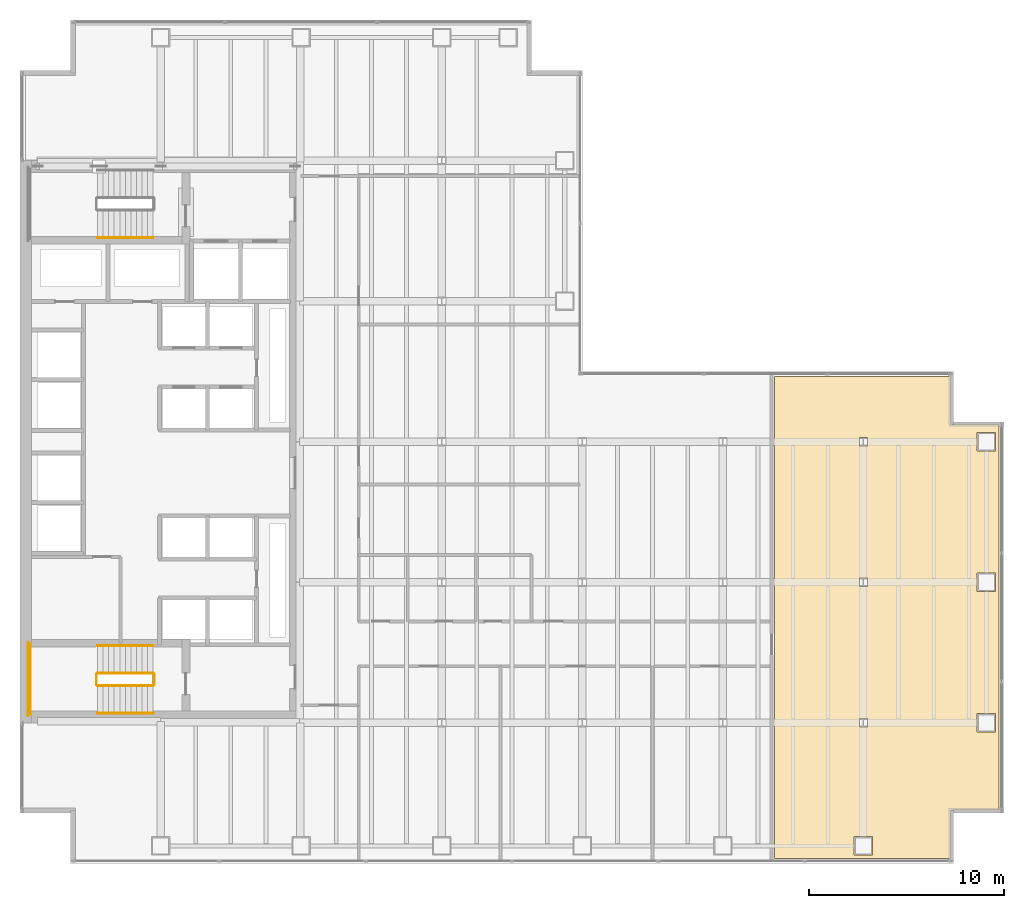
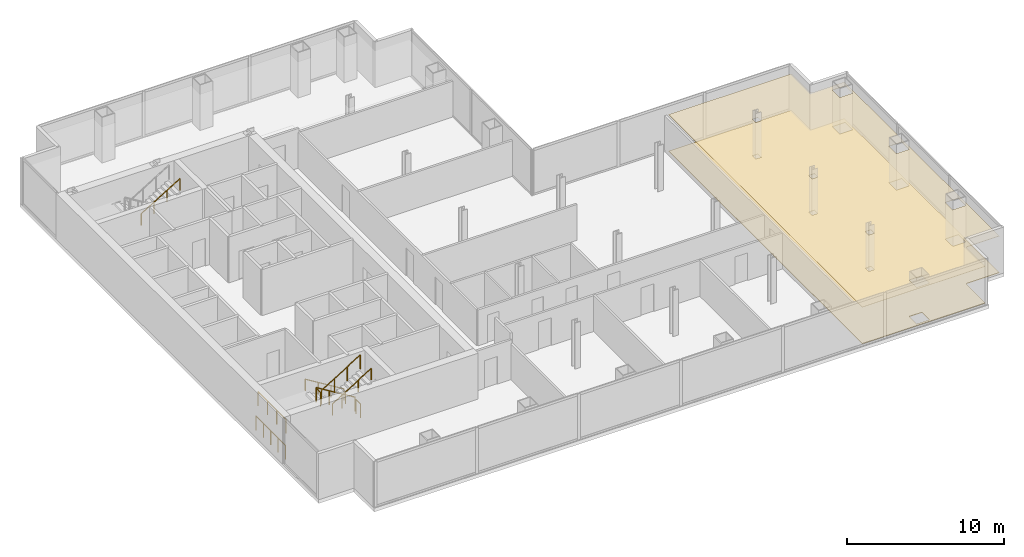
# One storey, part 23 of 24: 9 railings, 2 coverings.
"""IFC4 building model written with IfcOpenShell, lengths in metres."""

from ifc_helpers import new_model, si_unit, direction, frame, origin, origin_2d, place, context, subcontext, project, spatial, polyline, circle, outline, extrude, material, layer, layer_set, type_object, element, save


model = new_model("IFC4")

# Units and contexts
model_context = context("Model", 3, precision=1e-05, world=origin(), true_north=direction((0.0, 1.0)))
body_context = subcontext(model_context, "Body", "Model", "MODEL_VIEW")
ifc_project = project(units=[si_unit("LENGTHUNIT", "METRE"), si_unit("AREAUNIT", "SQUARE_METRE"), si_unit("VOLUMEUNIT", "CUBIC_METRE"), si_unit("PLANEANGLEUNIT", "RADIAN"), si_unit("MASSUNIT", "GRAM", prefix="KILO")], contexts=[model_context])

# Site, building, storey
site_placement = place(None, origin())
site = spatial("IfcSite", under=ifc_project, at=site_placement, CompositionType="ELEMENT")
building_placement = place(site_placement, origin())
building = spatial("IfcBuilding", under=site, at=building_placement, Name="Cobrela Telecom Tower", CompositionType="ELEMENT")
storey_placement = place(building_placement, frame((0.0, 0.0, 85.050048828125)))
storey = spatial("IfcBuildingStorey", under=building, at=storey_placement, Name="L21", CompositionType="ELEMENT", Elevation=85.050048828125)

# Coverings
ifc_material_1 = material(Name="Mineral Fibre Acoustic Ceiling Tile")
ifc_layer_1 = layer(ifc_material_1, 0.02490234375)
ifc_layer_set_1 = layer_set([ifc_layer_1], Name="Mineral Fibre Acoustic Ceiling Tile")
covering_type_1 = type_object("IfcCoveringType", Name="COV-CEIL-ACT", PredefinedType="CEILING", material=ifc_layer_set_1)
covering_1_placement = place(storey_placement, frame((0.0, 0.0, 2.849853515625)))
element("IfcCovering", 1, at=covering_1_placement, inside=storey, type_object=covering_type_1, Name="L21 Systems Engineering Studio 9 Suspended Acoustic Ceiling", PredefinedType="CEILING", context=body_context, shape_type="SweptSolid", body=[
    extrude(outline(polyline([(47.78271484375, 2.727294921875), (47.769287109375, 2.72412109375), (47.75634765625, 2.719482421875), (47.743896484375, 2.71337890625), (47.732177734375, 2.706298828125), (47.72119140625, 2.6982421875), (47.7109375, 2.68896484375), (47.70166015625, 2.6787109375), (47.693603515625, 2.66796875), (47.6865234375, 2.656005859375), (47.6806640625, 2.6435546875), (47.676025390625, 2.630615234375), (47.672607421875, 2.6171875), (47.670654296875, 2.603759765625), (47.669921875, 2.591064453125), (47.669921875, 0.260009765625), (38.639892578125, 0.260009765625), (38.639892578125, 24.93994140625), (47.669921875, 24.93994140625), (47.669921875, 22.60888671875), (47.670654296875, 22.59619140625), (47.672607421875, 22.582763671875), (47.676025390625, 22.5693359375), (47.6806640625, 22.556396484375), (47.6865234375, 22.5439453125), (47.693603515625, 22.531982421875), (47.70166015625, 22.521240234375), (47.7109375, 22.510986328125), (47.72119140625, 22.501708984375), (47.732177734375, 22.49365234375), (47.743896484375, 22.486572265625), (47.75634765625, 22.480712890625), (47.769287109375, 22.47607421875), (47.78271484375, 22.47265625), (47.79638671875, 22.470703125), (47.80908203125, 22.469970703125), (50.139892578125, 22.469970703125), (50.139892578125, 2.72998046875), (47.80908203125, 2.72998046875), (47.79638671875, 2.7294921875), (47.78271484375, 2.727294921875)]), holes=[polyline([(43.675048828125, 0.425048828125), (43.675048828125, 1.375), (42.72509765625, 1.375), (42.72509765625, 0.425048828125), (43.675048828125, 0.425048828125)]), polyline([(43.404541015625, 6.988037109375), (43.404541015625, 7.412109375), (42.99560546875, 7.412109375), (42.99560546875, 6.988037109375), (43.404541015625, 6.988037109375)]), polyline([(49.97509765625, 6.72509765625), (49.97509765625, 7.675048828125), (49.02490234375, 7.675048828125), (49.02490234375, 6.72509765625), (49.97509765625, 6.72509765625)]), polyline([(43.404541015625, 14.18798828125), (43.404541015625, 14.612060546875), (42.99560546875, 14.612060546875), (42.99560546875, 14.18798828125), (43.404541015625, 14.18798828125)]), polyline([(49.97509765625, 13.925048828125), (49.97509765625, 14.875), (49.02490234375, 14.875), (49.02490234375, 13.925048828125), (49.97509765625, 13.925048828125)]), polyline([(43.404541015625, 21.387939453125), (43.404541015625, 21.81201171875), (42.99560546875, 21.81201171875), (42.99560546875, 21.387939453125), (43.404541015625, 21.387939453125)]), polyline([(49.97509765625, 21.125), (49.97509765625, 22.074951171875), (49.02490234375, 22.074951171875), (49.02490234375, 21.125), (49.97509765625, 21.125)])]), origin(), (0.0, 0.0, 1.0), 0.025146484375),
])
ifc_material_2 = material(Name="Honed Colombian Basalt Stone", Category="masonry")
ifc_layer_2 = layer(ifc_material_2, 0.0400390625)
ifc_layer_set_2 = layer_set([ifc_layer_2], Name="Honed Colombian Basalt Stone")
covering_type_2 = type_object("IfcCoveringType", Name="COV-FLR-STONE", PredefinedType="FLOORING", material=ifc_layer_set_2)
covering_2_placement = place(storey_placement, origin())
element("IfcCovering", 2, at=covering_2_placement, inside=storey, type_object=covering_type_2, Name="L21 Systems Engineering Studio 9 Raised Technical Flooring", PredefinedType="FLOORING", context=body_context, shape_type="SweptSolid", body=[
    extrude(outline(polyline([(47.78271484375, 2.727294921875), (47.769287109375, 2.72412109375), (47.75634765625, 2.719482421875), (47.743896484375, 2.71337890625), (47.732177734375, 2.706298828125), (47.72119140625, 2.6982421875), (47.7109375, 2.68896484375), (47.70166015625, 2.6787109375), (47.693603515625, 2.66796875), (47.6865234375, 2.656005859375), (47.6806640625, 2.6435546875), (47.676025390625, 2.630615234375), (47.672607421875, 2.6171875), (47.670654296875, 2.603759765625), (47.669921875, 2.591064453125), (47.669921875, 0.260009765625), (38.639892578125, 0.260009765625), (38.639892578125, 24.93994140625), (47.669921875, 24.93994140625), (47.669921875, 22.60888671875), (47.670654296875, 22.59619140625), (47.672607421875, 22.582763671875), (47.676025390625, 22.5693359375), (47.6806640625, 22.556396484375), (47.6865234375, 22.5439453125), (47.693603515625, 22.531982421875), (47.70166015625, 22.521240234375), (47.7109375, 22.510986328125), (47.72119140625, 22.501708984375), (47.732177734375, 22.49365234375), (47.743896484375, 22.486572265625), (47.75634765625, 22.480712890625), (47.769287109375, 22.47607421875), (47.78271484375, 22.47265625), (47.79638671875, 22.470703125), (47.80908203125, 22.469970703125), (50.139892578125, 22.469970703125), (50.139892578125, 2.72998046875), (47.80908203125, 2.72998046875), (47.79638671875, 2.7294921875), (47.78271484375, 2.727294921875)]), holes=[polyline([(43.675048828125, 0.425048828125), (43.675048828125, 1.375), (42.72509765625, 1.375), (42.72509765625, 0.425048828125), (43.675048828125, 0.425048828125)]), polyline([(43.404541015625, 6.988037109375), (43.404541015625, 7.412109375), (42.99560546875, 7.412109375), (42.99560546875, 6.988037109375), (43.404541015625, 6.988037109375)]), polyline([(49.97509765625, 6.72509765625), (49.97509765625, 7.675048828125), (49.02490234375, 7.675048828125), (49.02490234375, 6.72509765625), (49.97509765625, 6.72509765625)]), polyline([(43.404541015625, 14.18798828125), (43.404541015625, 14.612060546875), (42.99560546875, 14.612060546875), (42.99560546875, 14.18798828125), (43.404541015625, 14.18798828125)]), polyline([(49.97509765625, 13.925048828125), (49.97509765625, 14.875), (49.02490234375, 14.875), (49.02490234375, 13.925048828125), (49.97509765625, 13.925048828125)]), polyline([(43.404541015625, 21.387939453125), (43.404541015625, 21.81201171875), (42.99560546875, 21.81201171875), (42.99560546875, 21.387939453125), (43.404541015625, 21.387939453125)]), polyline([(49.97509765625, 21.125), (49.97509765625, 22.074951171875), (49.02490234375, 22.074951171875), (49.02490234375, 21.125), (49.97509765625, 21.125)])]), origin(), (0.0, 0.0, 1.0), 0.0400390625),
])

# Railings
ifc_material_3 = material(Name="Steel ASTM A36", Category="steel")
railing_type_1 = type_object("IfcRailingType", Name="RAIL-GUARD-1100", PredefinedType="GUARDRAIL", material=ifc_material_3)
railing_1_placement = place(storey_placement, frame((6.820068359375, 9.75, 0.175048828125)))
element("IfcRailing", 3, at=railing_1_placement, inside=storey, type_object=railing_type_1, Name="L21 ST2 stair guard 1", PredefinedType="GUARDRAIL", context=body_context, shape_type="SweptSolid", body=[
    extrude(circle(Radius=0.02392578125, at=origin_2d()), frame((0.0, 0.0, 1.076171875), z_axis=(-0.852179220489, 0.0, 0.52325001306), x_axis=(0.0, -1.0, 0.0)), (0.0, 0.0, 1.0), 3.344482421875),
    extrude(circle(Radius=0.02099609375, at=origin_2d()), origin(), (0.0, 0.0, 1.0), 1.052001953125),
    extrude(circle(Radius=0.02099609375, at=origin_2d()), frame((-0.949951171875, 0.0, 0.583251953125)), (0.0, 0.0, 1.0), 1.052001953125),
    extrude(circle(Radius=0.02099609375, at=origin_2d()), frame((-1.900146484375, 0.0, 1.166748046875)), (0.0, 0.0, 1.0), 1.052001953125),
    extrude(circle(Radius=0.02099609375, at=origin_2d()), frame((-2.85009765625, 0.0, 1.75)), (0.0, 0.0, 1.0), 1.052001953125),
])
railing_2_placement = place(storey_placement, frame((3.919921875, 9.699951171875, 1.925048828125)))
element("IfcRailing", 4, at=railing_2_placement, inside=storey, type_object=railing_type_1, Name="L21 ST2 stair guard 2", PredefinedType="GUARDRAIL", context=body_context, shape_type="SweptSolid", body=[
    extrude(circle(Radius=0.02392578125, at=origin_2d()), frame((0.0, 0.0, 1.076171875), z_axis=(0.0, -1.0, 0.0), x_axis=(1.0, 0.0, 0.0)), (0.0, 0.0, 1.0), 0.550048828125),
    extrude(circle(Radius=0.02099609375, at=origin_2d()), origin(), (0.0, 0.0, 1.0), 1.052001953125),
    extrude(circle(Radius=0.02099609375, at=origin_2d()), frame((0.0, -0.550048828125, 0.0)), (0.0, 0.0, 1.0), 1.052001953125),
])
railing_3_placement = place(storey_placement, frame((0.530029296875, 11.199951171875, 1.925048828125)))
element("IfcRailing", 5, at=railing_3_placement, inside=storey, type_object=railing_type_1, Name="L21 ST2 stair guard 3", PredefinedType="GUARDRAIL", context=body_context, shape_type="SweptSolid", body=[
    extrude(circle(Radius=0.02392578125, at=origin_2d()), frame((0.0, 0.0, 1.076171875), z_axis=(0.0, -1.0, 0.0), x_axis=(1.0, 0.0, 0.0)), (0.0, 0.0, 1.0), 3.550048828125),
    extrude(circle(Radius=0.02099609375, at=origin_2d()), origin(), (0.0, 0.0, 1.0), 1.052001953125),
    extrude(circle(Radius=0.02099609375, at=origin_2d()), frame((0.0, -1.183349609375, 0.0)), (0.0, 0.0, 1.0), 1.052001953125),
    extrude(circle(Radius=0.02099609375, at=origin_2d()), frame((0.0, -2.36669921875, 0.0)), (0.0, 0.0, 1.0), 1.052001953125),
    extrude(circle(Radius=0.02099609375, at=origin_2d()), frame((0.0, -3.550048828125, 0.0)), (0.0, 0.0, 1.0), 1.052001953125),
])
railing_4_placement = place(storey_placement, frame((3.969970703125, 9.10009765625, 2.099853515625)))
element("IfcRailing", 6, at=railing_4_placement, inside=storey, type_object=railing_type_1, Name="L21 ST2 stair guard 4", PredefinedType="GUARDRAIL", context=body_context, shape_type="SweptSolid", body=[
    extrude(circle(Radius=0.02392578125, at=origin_2d()), frame((0.0, 0.0, 1.076171875), z_axis=(0.852179220489, 0.0, 0.52325001306), x_axis=(0.0, 1.0, 0.0)), (0.0, 0.0, 1.0), 3.344482421875),
    extrude(circle(Radius=0.02099609375, at=origin_2d()), origin(), (0.0, 0.0, 1.0), 1.052001953125),
    extrude(circle(Radius=0.02099609375, at=origin_2d()), frame((0.949951171875, 0.0, 0.583251953125)), (0.0, 0.0, 1.0), 1.052001953125),
    extrude(circle(Radius=0.02099609375, at=origin_2d()), frame((1.900146484375, 0.0, 1.166748046875)), (0.0, 0.0, 1.0), 1.052001953125),
    extrude(circle(Radius=0.02099609375, at=origin_2d()), frame((2.85009765625, 0.0, 1.75)), (0.0, 0.0, 1.0), 1.052001953125),
])
railing_5_placement = place(storey_placement, frame((6.8701171875, 9.699951171875, 0.0)))
element("IfcRailing", 7, at=railing_5_placement, inside=storey, type_object=railing_type_1, Name="L21 ST2 stair guard 5", PredefinedType="GUARDRAIL", context=body_context, shape_type="SweptSolid", body=[
    extrude(circle(Radius=0.02392578125, at=origin_2d()), frame((0.0, 0.0, 1.076171875), z_axis=(0.0, -1.0, 0.0), x_axis=(1.0, 0.0, 0.0)), (0.0, 0.0, 1.0), 0.550048828125),
    extrude(circle(Radius=0.02099609375, at=origin_2d()), origin(), (0.0, 0.0, 1.0), 1.052001953125),
    extrude(circle(Radius=0.02099609375, at=origin_2d()), frame((0.0, -0.550048828125, 0.0)), (0.0, 0.0, 1.0), 1.052001953125),
])
railing_6_placement = place(storey_placement, frame((0.429931640625, 11.300048828125, 0.0)))
element("IfcRailing", 8, at=railing_6_placement, inside=storey, type_object=railing_type_1, Name="L21 ST2 stair guard 6", PredefinedType="GUARDRAIL", context=body_context, shape_type="SweptSolid", body=[
    extrude(circle(Radius=0.02392578125, at=origin_2d()), frame((0.0, 0.0, 1.076171875), z_axis=(0.0, -1.0, 0.0), x_axis=(1.0, 0.0, 0.0)), (0.0, 0.0, 1.0), 3.75),
    extrude(circle(Radius=0.02099609375, at=origin_2d()), origin(), (0.0, 0.0, 1.0), 1.052001953125),
    extrude(circle(Radius=0.02099609375, at=origin_2d()), frame((0.0, -0.9375, 0.0)), (0.0, 0.0, 1.0), 1.052001953125),
    extrude(circle(Radius=0.02099609375, at=origin_2d()), frame((0.0, -1.875, 0.0)), (0.0, 0.0, 1.0), 1.052001953125),
    extrude(circle(Radius=0.02099609375, at=origin_2d()), frame((0.0, -2.8125, 0.0)), (0.0, 0.0, 1.0), 1.052001953125),
    extrude(circle(Radius=0.02099609375, at=origin_2d()), frame((0.0, -3.75, 0.0)), (0.0, 0.0, 1.0), 1.052001953125),
])
railing_type_2 = type_object("IfcRailingType", Name="RAIL-HAND-920", PredefinedType="HANDRAIL", material=ifc_material_3)
railing_7_placement = place(storey_placement, frame((3.969970703125, 32.050048828125, 2.099853515625)))
element("IfcRailing", 9, at=railing_7_placement, inside=storey, type_object=railing_type_2, Name="L21 ST1 stair handrail 2", PredefinedType="HANDRAIL", context=body_context, shape_type="SweptSolid", body=[
    extrude(circle(Radius=0.02392578125, at=origin_2d()), frame((0.0, 0.0, 0.8759765625), z_axis=(0.852179220489, 0.0, 0.52325001306), x_axis=(0.0, 1.0, 0.0)), (0.0, 0.0, 1.0), 3.344482421875),
    extrude(circle(Radius=0.02099609375, at=origin_2d()), origin(), (0.0, 0.0, 1.0), 0.851806640625),
    extrude(circle(Radius=0.02099609375, at=origin_2d()), frame((0.949951171875, 0.0, 0.583251953125)), (0.0, 0.0, 1.0), 0.851806640625),
    extrude(circle(Radius=0.02099609375, at=origin_2d()), frame((1.900146484375, 0.0, 1.166748046875)), (0.0, 0.0, 1.0), 0.851806640625),
    extrude(circle(Radius=0.02099609375, at=origin_2d()), frame((2.85009765625, 0.0, 1.75)), (0.0, 0.0, 1.0), 0.851806640625),
])
railing_8_placement = place(storey_placement, frame((6.820068359375, 11.14990234375, 0.175048828125)))
element("IfcRailing", 10, at=railing_8_placement, inside=storey, type_object=railing_type_2, Name="L21 ST2 stair handrail 1", PredefinedType="HANDRAIL", context=body_context, shape_type="SweptSolid", body=[
    extrude(circle(Radius=0.02392578125, at=origin_2d()), frame((0.0, 0.0, 0.8759765625), z_axis=(-0.852179220489, 0.0, 0.52325001306), x_axis=(0.0, -1.0, 0.0)), (0.0, 0.0, 1.0), 3.344482421875),
    extrude(circle(Radius=0.02099609375, at=origin_2d()), origin(), (0.0, 0.0, 1.0), 0.851806640625),
    extrude(circle(Radius=0.02099609375, at=origin_2d()), frame((-0.949951171875, 0.0, 0.583251953125)), (0.0, 0.0, 1.0), 0.851806640625),
    extrude(circle(Radius=0.02099609375, at=origin_2d()), frame((-1.900146484375, 0.0, 1.166748046875)), (0.0, 0.0, 1.0), 0.851806640625),
    extrude(circle(Radius=0.02099609375, at=origin_2d()), frame((-2.85009765625, 0.0, 1.75)), (0.0, 0.0, 1.0), 0.851806640625),
])
railing_9_placement = place(storey_placement, frame((3.969970703125, 7.699951171875, 2.099853515625)))
element("IfcRailing", 11, at=railing_9_placement, inside=storey, type_object=railing_type_2, Name="L21 ST2 stair handrail 2", PredefinedType="HANDRAIL", context=body_context, shape_type="SweptSolid", body=[
    extrude(circle(Radius=0.02392578125, at=origin_2d()), frame((0.0, 0.0, 0.8759765625), z_axis=(0.852179220489, 0.0, 0.52325001306), x_axis=(0.0, 1.0, 0.0)), (0.0, 0.0, 1.0), 3.344482421875),
    extrude(circle(Radius=0.02099609375, at=origin_2d()), origin(), (0.0, 0.0, 1.0), 0.851806640625),
    extrude(circle(Radius=0.02099609375, at=origin_2d()), frame((0.949951171875, 0.0, 0.583251953125)), (0.0, 0.0, 1.0), 0.851806640625),
    extrude(circle(Radius=0.02099609375, at=origin_2d()), frame((1.900146484375, 0.0, 1.166748046875)), (0.0, 0.0, 1.0), 0.851806640625),
    extrude(circle(Radius=0.02099609375, at=origin_2d()), frame((2.85009765625, 0.0, 1.75)), (0.0, 0.0, 1.0), 0.851806640625),
])

save(model, "model.ifc")
